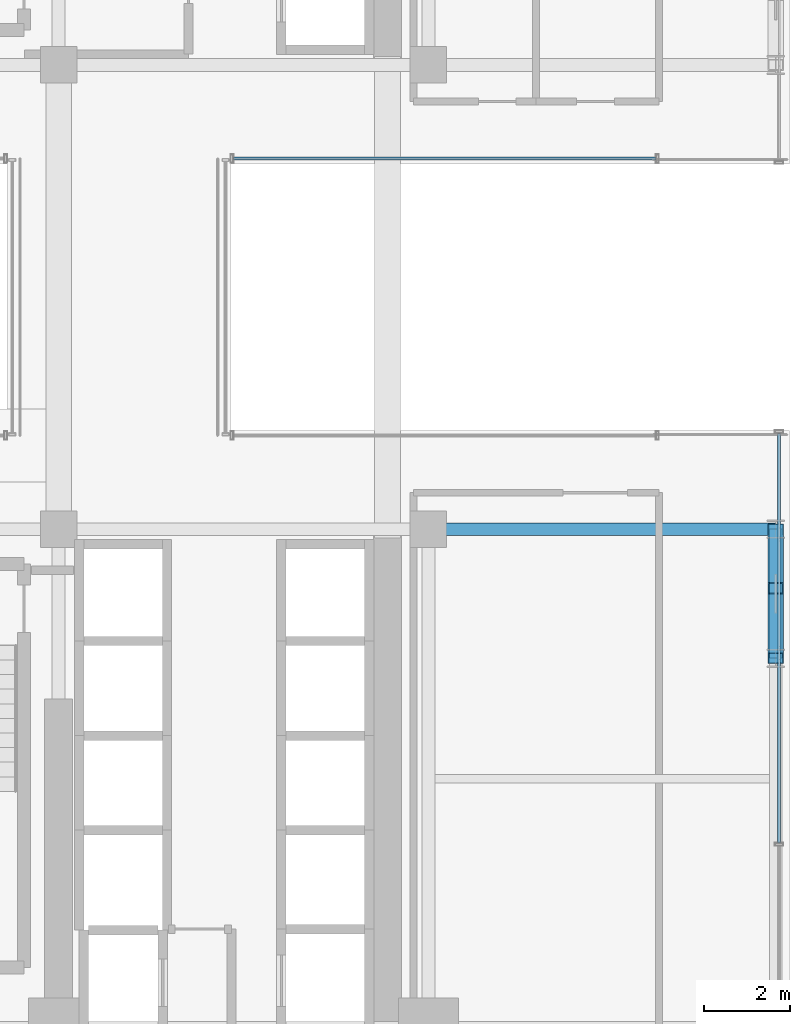
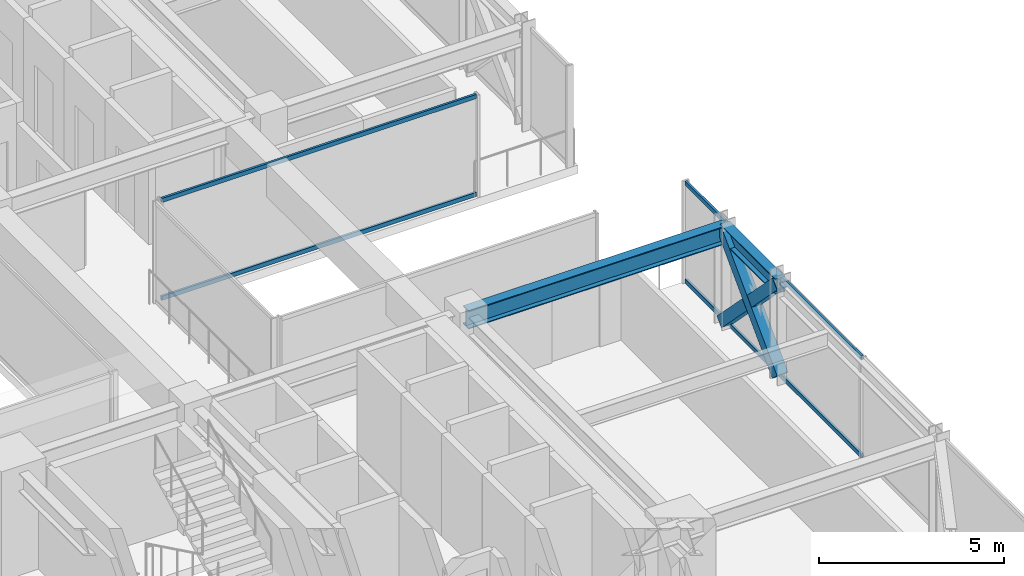
# One storey, part 19 of 43: 7 members, 2 beams, 2 elements without a shape of their own.
"""IFC4 building model written with IfcOpenShell, lengths in metres."""

from ifc_helpers import new_model, si_unit, direction, frame, origin, origin_2d, place, context, subcontext, project, spatial, hollow_rectangle, i_section, extrude, source, transform, mapped, material, material_profile, profile_set, type_object, element, aggregate, save


model = new_model("IFC4")

# Units and contexts
model_context = context("Model", 3, precision=1e-05, world=origin(), true_north=direction((0.0, 1.0)))
body_context = subcontext(model_context, "Body", "Model", "MODEL_VIEW")
ifc_project = project(units=[si_unit("LENGTHUNIT", "METRE"), si_unit("AREAUNIT", "SQUARE_METRE"), si_unit("VOLUMEUNIT", "CUBIC_METRE"), si_unit("PLANEANGLEUNIT", "RADIAN"), si_unit("MASSUNIT", "GRAM", prefix="KILO")], contexts=[model_context])

# Site, building, storey
site_placement = place(None, origin())
site = spatial("IfcSite", under=ifc_project, at=site_placement, CompositionType="ELEMENT")
building_placement = place(site_placement, origin())
building = spatial("IfcBuilding", under=site, at=building_placement, Name="Nahalor Promenade Grand Hotel", CompositionType="ELEMENT")
storey_placement = place(building_placement, frame((0.0, 0.0, 47.0)))
storey = spatial("IfcBuildingStorey", under=building, at=storey_placement, Name="L10", CompositionType="ELEMENT", Elevation=47.0)

# Beams
ifc_material_1 = material(Name="Steel S355JR", Category="steel")
ifc_material_profile_1 = material_profile(ifc_material_1, i_section(OverallWidth=0.3, OverallDepth=0.5, WebThickness=0.0145, FlangeThickness=0.028, at=origin_2d()), Name="HEB 500")
ifc_profile_set_1 = profile_set([ifc_material_profile_1], Name="Steel S355JR")
beam_type_1 = type_object("IfcBeamType", Name="Beam-Spandrel-HEB500", PredefinedType="SPANDREL", material=ifc_profile_set_1)
shared_shape_1 = source(origin(), body_context, "Body", "SweptSolid", [
    extrude(i_section(OverallWidth=0.3, OverallDepth=0.5, WebThickness=0.0145, FlangeThickness=0.028, at=origin_2d()), origin(), (0.0, 0.0, 1.0), 3.0),
])
beam_1_placement = place(storey_placement, frame((25.080078125, -8.39990234375, 3.1201171875), z_axis=(0.0, 1.0, 0.0), x_axis=(-1.0, 0.0, 0.0)))
element("IfcBeam", 1, at=beam_1_placement, inside=storey, type_object=beam_type_1, Name="BM-L10-SP-E-1", PredefinedType="SPANDREL", context=body_context, shape_type="MappedRepresentation", body=[
    mapped(shared_shape_1, transform((0.0, 0.0, 0.0), scale=1.0)),
])
ifc_material_profile_2 = material_profile(ifc_material_1, i_section(OverallWidth=0.3, OverallDepth=0.6, WebThickness=0.0155, FlangeThickness=0.03, at=origin_2d()), Name="HEB 600")
ifc_profile_set_2 = profile_set([ifc_material_profile_2], Name="Steel S355JR")
beam_type_2 = type_object("IfcBeamType", Name="Beam-Girder-HEB600", PredefinedType="BEAM", material=ifc_profile_set_2)
shared_shape_2 = source(origin(), body_context, "Body", "SweptSolid", [
    extrude(i_section(OverallWidth=0.3, OverallDepth=0.6, WebThickness=0.0155, FlangeThickness=0.03, at=origin_2d()), origin(), (0.0, 0.0, 1.0), 8.080078125),
])
beam_2_placement = place(storey_placement, frame((17.0, -5.39990234375, 3.070068359375), z_axis=(1.0, 0.0, 0.0), x_axis=(0.0, 1.0, 0.0)))
element("IfcBeam", 2, at=beam_2_placement, inside=storey, type_object=beam_type_2, Name="BM-L10-GX-1-6", PredefinedType="BEAM", context=body_context, shape_type="MappedRepresentation", body=[
    mapped(shared_shape_2, transform((0.0, 0.0, 0.0), scale=1.0)),
])

# Members
ifc_material_profile_3 = material_profile(ifc_material_1, hollow_rectangle(XDim=0.35, YDim=0.35, WallThickness=0.02, at=origin_2d()), Name="SHS 350x350x20")
ifc_profile_set_3 = profile_set([ifc_material_profile_3], Name="Steel S355JR")
member_type_1 = type_object("IfcMemberType", Name="Mem-VoidBrace-SHS350", PredefinedType="BRACE", material=ifc_profile_set_3)
shared_shape_3 = source(origin(), body_context, "Body", "SweptSolid", [
    extrude(hollow_rectangle(XDim=0.35, YDim=0.35, WallThickness=0.02, at=origin_2d()), origin(), (0.0, 0.0, 1.0), 4.29248046875),
])
member_1_placement = place(storey_placement, frame((25.080078125, -8.39990234375, 0.14990234375), z_axis=(0.0, 0.698897904453, 0.715221447631), x_axis=(-1.0, 0.0, 0.0)))
element("IfcMember", 3, at=member_1_placement, inside=storey, type_object=member_type_1, Name="EXO-L10-VX1-E0", PredefinedType="BRACE", context=body_context, shape_type="MappedRepresentation", body=[
    mapped(shared_shape_3, transform((0.0, 0.0, 0.0), scale=1.0)),
])
shared_shape_4 = source(origin(), body_context, "Body", "SweptSolid", [
    extrude(hollow_rectangle(XDim=0.35, YDim=0.35, WallThickness=0.02, at=origin_2d()), origin(), (0.0, 0.0, 1.0), 1.959228515625),
])
member_2_placement = place(storey_placement, frame((25.080078125, -5.39990234375, 0.14990234375), z_axis=(0.0, -0.698898183234, 0.715221175212), x_axis=(1.0, 0.0, 0.0)))
element("IfcMember", 4, at=member_2_placement, inside=storey, type_object=member_type_1, Name="EXO-L10-VX2-E0A", PredefinedType="BRACE", context=body_context, shape_type="MappedRepresentation", body=[
    mapped(shared_shape_4, transform((0.0, 0.0, 0.0), scale=1.0)),
])
shared_shape_5 = source(origin(), body_context, "Body", "SweptSolid", [
    extrude(hollow_rectangle(XDim=0.35, YDim=0.35, WallThickness=0.02, at=origin_2d()), origin(), (0.0, 0.0, 1.0), 1.958984375),
])
member_3_placement = place(storey_placement, frame((25.080078125, -7.03076171875, 1.81884765625), z_axis=(0.0, -0.698896728293, 0.715222596946), x_axis=(1.0, 0.0, 0.0)))
element("IfcMember", 5, at=member_3_placement, inside=storey, type_object=member_type_1, Name="EXO-L10-VX2-E0B", PredefinedType="BRACE", context=body_context, shape_type="MappedRepresentation", body=[
    mapped(shared_shape_5, transform((0.0, 0.0, 0.0), scale=1.0)),
])

# Curtain wall, members
ifc_material_2 = material(Name="Anodised Bronze Aluminium EN AW-6063 T6", Category="aluminium")
curtain_wall_type = type_object("IfcCurtainWallType", Name="CW3 Elliptical-Void Collar Unitised Curtain Wall", PredefinedType="USERDEFINED", material=ifc_material_2)
curtain_wall_1_placement = place(storey_placement, origin())
curtain_wall_1 = element("IfcCurtainWall", 6, at=curtain_wall_1_placement, inside=storey, type_object=curtain_wall_type, Name="L10 Curtain Wall CW-L10-VOID-EN1", ObjectType="UNITISED_CURTAIN_WALL", PredefinedType="USERDEFINED")
ifc_material_profile_4 = material_profile(ifc_material_2, hollow_rectangle(XDim=0.07, YDim=0.14, WallThickness=0.004, at=origin_2d()), Name="CWT 70x140x4")
ifc_profile_set_4 = profile_set([ifc_material_profile_4], Name="Anodised Bronze Aluminium EN AW-6063 T6")
member_type_2 = type_object("IfcMemberType", Name="CWT3 Void Collar Transom 70x140", PredefinedType="USERDEFINED", material=ifc_profile_set_4)
shared_shape_6 = source(origin(), body_context, "Body", "SweptSolid", [
    extrude(hollow_rectangle(XDim=0.07, YDim=0.14, WallThickness=0.004, at=origin_2d()), origin(), (0.0, 0.0, 1.0), 9.820068359375),
])
member_4_placement = place(storey_placement, frame((12.469970703125, 3.219970703125, 0.070068359375), z_axis=(1.0, 0.0, 0.0), x_axis=(0.0, 1.0, 0.0)))
member_4 = element("IfcMember", 7, at=member_4_placement, type_object=member_type_2, Name="CW-L10-VOID-EN1 Transom 0-0", ObjectType="TRANSOM", PredefinedType="USERDEFINED", context=body_context, shape_type="MappedRepresentation", body=[
    mapped(shared_shape_6, transform((0.0, 0.0, 0.0), scale=1.0)),
])
member_5_placement = place(storey_placement, frame((12.469970703125, 3.219970703125, 3.300048828125), z_axis=(1.0, 0.0, 0.0), x_axis=(0.0, 1.0, 0.0)))
member_5 = element("IfcMember", 8, at=member_5_placement, type_object=member_type_2, Name="CW-L10-VOID-EN1 Transom 0-1", ObjectType="TRANSOM", PredefinedType="USERDEFINED", context=body_context, shape_type="MappedRepresentation", body=[
    mapped(shared_shape_6, transform((0.0, 0.0, 0.0), scale=1.0)),
])
aggregate(curtain_wall_1, [member_4, member_5])

curtain_wall_2_placement = place(storey_placement, origin())
curtain_wall_2 = element("IfcCurtainWall", 9, at=curtain_wall_2_placement, inside=storey, type_object=curtain_wall_type, Name="L10 Curtain Wall CW-L10-E-1", ObjectType="UNITISED_CURTAIN_WALL", PredefinedType="USERDEFINED")
shared_shape_7 = source(origin(), body_context, "Body", "SweptSolid", [
    extrude(hollow_rectangle(XDim=0.07, YDim=0.14, WallThickness=0.004, at=origin_2d()), origin(), (0.0, 0.0, 1.0), 9.525146484375),
])
member_6_placement = place(storey_placement, frame((25.159912109375, -12.695068359375, 0.070068359375), z_axis=(0.0, 1.0, 0.0), x_axis=(-1.0, 0.0, 0.0)))
member_6 = element("IfcMember", 10, at=member_6_placement, type_object=member_type_2, Name="CW-L10-E-1 Transom 1-0", ObjectType="TRANSOM", PredefinedType="USERDEFINED", context=body_context, shape_type="MappedRepresentation", body=[
    mapped(shared_shape_7, transform((0.0, 0.0, 0.0), scale=1.0)),
])
member_7_placement = place(storey_placement, frame((25.159912109375, -12.695068359375, 3.300048828125), z_axis=(0.0, 1.0, 0.0), x_axis=(-1.0, 0.0, 0.0)))
member_7 = element("IfcMember", 11, at=member_7_placement, type_object=member_type_2, Name="CW-L10-E-1 Transom 1-1", ObjectType="TRANSOM", PredefinedType="USERDEFINED", context=body_context, shape_type="MappedRepresentation", body=[
    mapped(shared_shape_7, transform((0.0, 0.0, 0.0), scale=1.0)),
])
aggregate(curtain_wall_2, [member_6, member_7])

save(model, "model.ifc")
